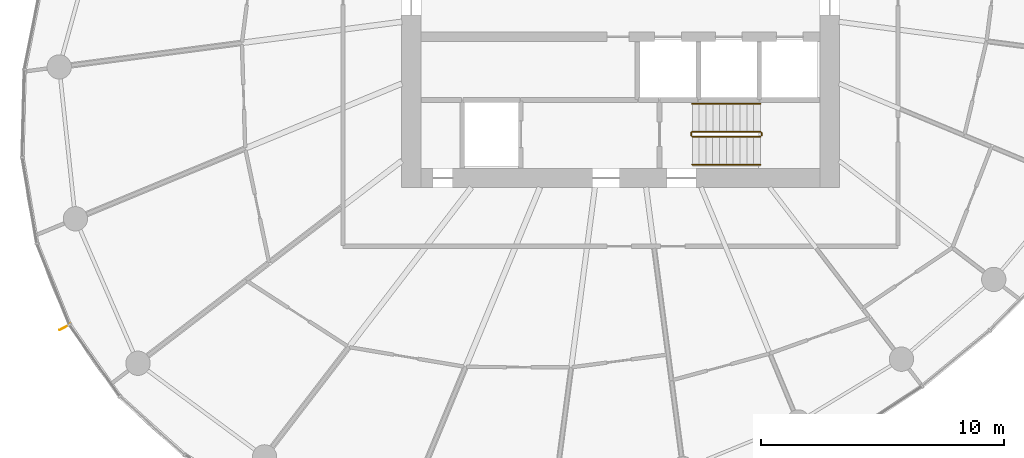
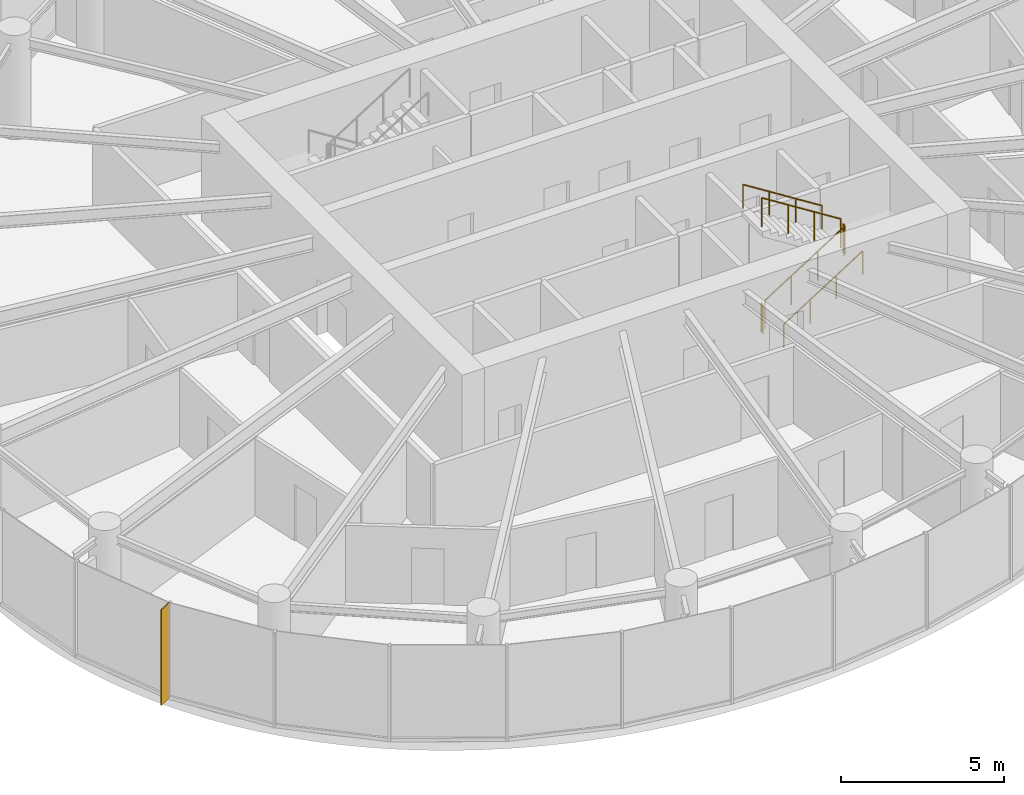
# One storey, part 12 of 14: 6 railings, 1 shading device.
"""IFC4 building model written with IfcOpenShell, lengths in metres."""

from ifc_helpers import new_model, si_unit, direction, frame, origin, origin_2d, place, context, subcontext, project, spatial, rectangle, circle, extrude, source, transform, mapped, material, material_profile, profile_set, type_object, element, save


model = new_model("IFC4")

# Units and contexts
model_context = context("Model", 3, precision=1e-05, world=origin(), true_north=direction((0.0, 1.0)))
body_context = subcontext(model_context, "Body", "Model", "MODEL_VIEW")
ifc_project = project(units=[si_unit("LENGTHUNIT", "METRE"), si_unit("AREAUNIT", "SQUARE_METRE"), si_unit("VOLUMEUNIT", "CUBIC_METRE"), si_unit("PLANEANGLEUNIT", "RADIAN"), si_unit("MASSUNIT", "GRAM", prefix="KILO")], contexts=[model_context])

# Site, building, storey
site_placement = place(None, origin())
site = spatial("IfcSite", under=ifc_project, at=site_placement, CompositionType="ELEMENT")
building_placement = place(site_placement, origin())
building = spatial("IfcBuilding", under=site, at=building_placement, Name="Spindrift Exchange Tower", CompositionType="ELEMENT")
storey_placement = place(building_placement, frame((0.0, 0.0, 164.300048828125)))
storey = spatial("IfcBuildingStorey", under=building, at=storey_placement, Name="L39", CompositionType="ELEMENT", Elevation=164.300048828125)

# Railings
ifc_material_1 = material(Name="Steel balustrade", Category="steel")
railing_type_1 = type_object("IfcRailingType", Name="RL-STAIR-GUARD", PredefinedType="GUARDRAIL", material=ifc_material_1)
railing_1_placement = place(storey_placement, frame((54.949951171875, 42.10009765625, 0.17724609375)))
element("IfcRailing", 1, at=railing_1_placement, inside=storey, type_object=railing_type_1, Name="L39 ST2 stair guard 1", PredefinedType="GUARDRAIL", context=body_context, shape_type="SweptSolid", body=[
    extrude(circle(Radius=0.02392578125, at=origin_2d()), frame((0.0, 0.0, 1.076171875), z_axis=(0.844908973607, 0.0, 0.534910110503), x_axis=(0.0, 1.0, 0.0)), (0.0, 0.0, 1.0), 3.31396484375),
    extrude(circle(Radius=0.02099609375, at=origin_2d()), origin(), (0.0, 0.0, 1.0), 1.052001953125),
    extrude(circle(Radius=0.02099609375, at=origin_2d()), frame((0.933349609375, 0.0, 0.5908203125)), (0.0, 0.0, 1.0), 1.052001953125),
    extrude(circle(Radius=0.02099609375, at=origin_2d()), frame((1.86669921875, 0.0, 1.181884765625)), (0.0, 0.0, 1.0), 1.052001953125),
    extrude(circle(Radius=0.02099609375, at=origin_2d()), frame((2.800048828125, 0.0, 1.772705078125)), (0.0, 0.0, 1.0), 1.052001953125),
])
railing_2_placement = place(storey_placement, frame((57.800048828125, 42.14990234375, 1.949951171875)))
element("IfcRailing", 2, at=railing_2_placement, inside=storey, type_object=railing_type_1, Name="L39 ST2 stair guard 2", PredefinedType="GUARDRAIL", context=body_context, shape_type="SweptSolid", body=[
    extrude(circle(Radius=0.02392578125, at=origin_2d()), frame((0.0, 0.0, 1.076171875), z_axis=(0.0, 1.0, 0.0), x_axis=(-1.0, 0.0, 0.0)), (0.0, 0.0, 1.0), 0.10009765625),
    extrude(circle(Radius=0.02099609375, at=origin_2d()), origin(), (0.0, 0.0, 1.0), 1.052001953125),
    extrude(circle(Radius=0.02099609375, at=origin_2d()), frame((0.0, 0.10009765625, 0.0)), (0.0, 0.0, 1.0), 1.052001953125),
])
railing_3_placement = place(storey_placement, frame((57.75, 42.300048828125, 2.127197265625)))
element("IfcRailing", 3, at=railing_3_placement, inside=storey, type_object=railing_type_1, Name="L39 ST2 stair guard 3", PredefinedType="GUARDRAIL", context=body_context, shape_type="SweptSolid", body=[
    extrude(circle(Radius=0.02392578125, at=origin_2d()), frame((0.0, 0.0, 1.076171875), z_axis=(-0.844908973607, 0.0, 0.534910110503), x_axis=(0.0, -1.0, 0.0)), (0.0, 0.0, 1.0), 3.31396484375),
    extrude(circle(Radius=0.02099609375, at=origin_2d()), origin(), (0.0, 0.0, 1.0), 1.052001953125),
    extrude(circle(Radius=0.02099609375, at=origin_2d()), frame((-0.933349609375, 0.0, 0.5908203125)), (0.0, 0.0, 1.0), 1.052001953125),
    extrude(circle(Radius=0.02099609375, at=origin_2d()), frame((-1.86669921875, 0.0, 1.181884765625)), (0.0, 0.0, 1.0), 1.052001953125),
    extrude(circle(Radius=0.02099609375, at=origin_2d()), frame((-2.800048828125, 0.0, 1.772705078125)), (0.0, 0.0, 1.0), 1.052001953125),
])
railing_4_placement = place(storey_placement, frame((54.89990234375, 42.14990234375, 0.0)))
element("IfcRailing", 4, at=railing_4_placement, inside=storey, type_object=railing_type_1, Name="L39 ST2 stair guard 4", PredefinedType="GUARDRAIL", context=body_context, shape_type="SweptSolid", body=[
    extrude(circle(Radius=0.02392578125, at=origin_2d()), frame((0.0, 0.0, 1.076171875), z_axis=(0.0, 1.0, 0.0), x_axis=(-1.0, 0.0, 0.0)), (0.0, 0.0, 1.0), 0.10009765625),
    extrude(circle(Radius=0.02099609375, at=origin_2d()), origin(), (0.0, 0.0, 1.0), 1.052001953125),
    extrude(circle(Radius=0.02099609375, at=origin_2d()), frame((0.0, 0.10009765625, 0.0)), (0.0, 0.0, 1.0), 1.052001953125),
])
ifc_material_2 = material(Name="Steel tubular handrail", Category="steel")
railing_type_2 = type_object("IfcRailingType", Name="RL-STAIR-HAND", PredefinedType="HANDRAIL", material=ifc_material_2)
railing_5_placement = place(storey_placement, frame((54.949951171875, 40.949951171875, 0.17724609375)))
element("IfcRailing", 5, at=railing_5_placement, inside=storey, type_object=railing_type_2, Name="L39 ST2 stair handrail 1", PredefinedType="HANDRAIL", context=body_context, shape_type="SweptSolid", body=[
    extrude(circle(Radius=0.02392578125, at=origin_2d()), frame((0.0, 0.0, 0.8759765625), z_axis=(0.844908973607, 0.0, 0.534910110503), x_axis=(0.0, 1.0, 0.0)), (0.0, 0.0, 1.0), 3.31396484375),
    extrude(circle(Radius=0.02099609375, at=origin_2d()), origin(), (0.0, 0.0, 1.0), 0.851806640625),
    extrude(circle(Radius=0.02099609375, at=origin_2d()), frame((0.933349609375, 0.0, 0.5908203125)), (0.0, 0.0, 1.0), 0.851806640625),
    extrude(circle(Radius=0.02099609375, at=origin_2d()), frame((1.86669921875, 0.0, 1.181884765625)), (0.0, 0.0, 1.0), 0.851806640625),
    extrude(circle(Radius=0.02099609375, at=origin_2d()), frame((2.800048828125, 0.0, 1.772705078125)), (0.0, 0.0, 1.0), 0.851806640625),
])
railing_6_placement = place(storey_placement, frame((57.75, 43.449951171875, 2.127197265625)))
element("IfcRailing", 6, at=railing_6_placement, inside=storey, type_object=railing_type_2, Name="L39 ST2 stair handrail 2", PredefinedType="HANDRAIL", context=body_context, shape_type="SweptSolid", body=[
    extrude(circle(Radius=0.02392578125, at=origin_2d()), frame((0.0, 0.0, 0.8759765625), z_axis=(-0.844908973607, 0.0, 0.534910110503), x_axis=(0.0, -1.0, 0.0)), (0.0, 0.0, 1.0), 3.31396484375),
    extrude(circle(Radius=0.02099609375, at=origin_2d()), origin(), (0.0, 0.0, 1.0), 0.851806640625),
    extrude(circle(Radius=0.02099609375, at=origin_2d()), frame((-0.933349609375, 0.0, 0.5908203125)), (0.0, 0.0, 1.0), 0.851806640625),
    extrude(circle(Radius=0.02099609375, at=origin_2d()), frame((-1.86669921875, 0.0, 1.181884765625)), (0.0, 0.0, 1.0), 0.851806640625),
    extrude(circle(Radius=0.02099609375, at=origin_2d()), frame((-2.800048828125, 0.0, 1.772705078125)), (0.0, 0.0, 1.0), 0.851806640625),
])

# Shading device
ifc_material_3 = material(Name="Bronze anodised aluminium", Category="aluminium")
ifc_material_profile = material_profile(ifc_material_3, rectangle(XDim=0.030029296875, YDim=0.5, at=origin_2d()), Name="WIND FIN 30X500")
ifc_profile_set = profile_set([ifc_material_profile], Name="Bronze anodised aluminium")
shading_device_type = type_object("IfcShadingDeviceType", Name="WIND FIN 30X500", PredefinedType="USERDEFINED", material=ifc_profile_set)
shared_shape = source(origin(), body_context, "Body", "SweptSolid", [
    extrude(rectangle(XDim=0.030029296875, YDim=0.5, at=origin_2d()), origin(), (0.0, 0.0, 1.0), 3.579833984375),
])
shading_device_placement = place(storey_placement, frame((29.172119140625, 34.269287109375, 0.0), z_axis=(0.0, 0.0, 1.0), x_axis=(0.476278105286, -0.879294698281, 0.0)))
element("IfcShadingDevice", 7, at=shading_device_placement, inside=storey, type_object=shading_device_type, Name="L39 wind fin 1", ObjectType="FIN", PredefinedType="USERDEFINED", context=body_context, shape_type="MappedRepresentation", body=[
    mapped(shared_shape, transform((0.0, 0.0, 0.0), scale=1.0)),
])

save(model, "model.ifc")
